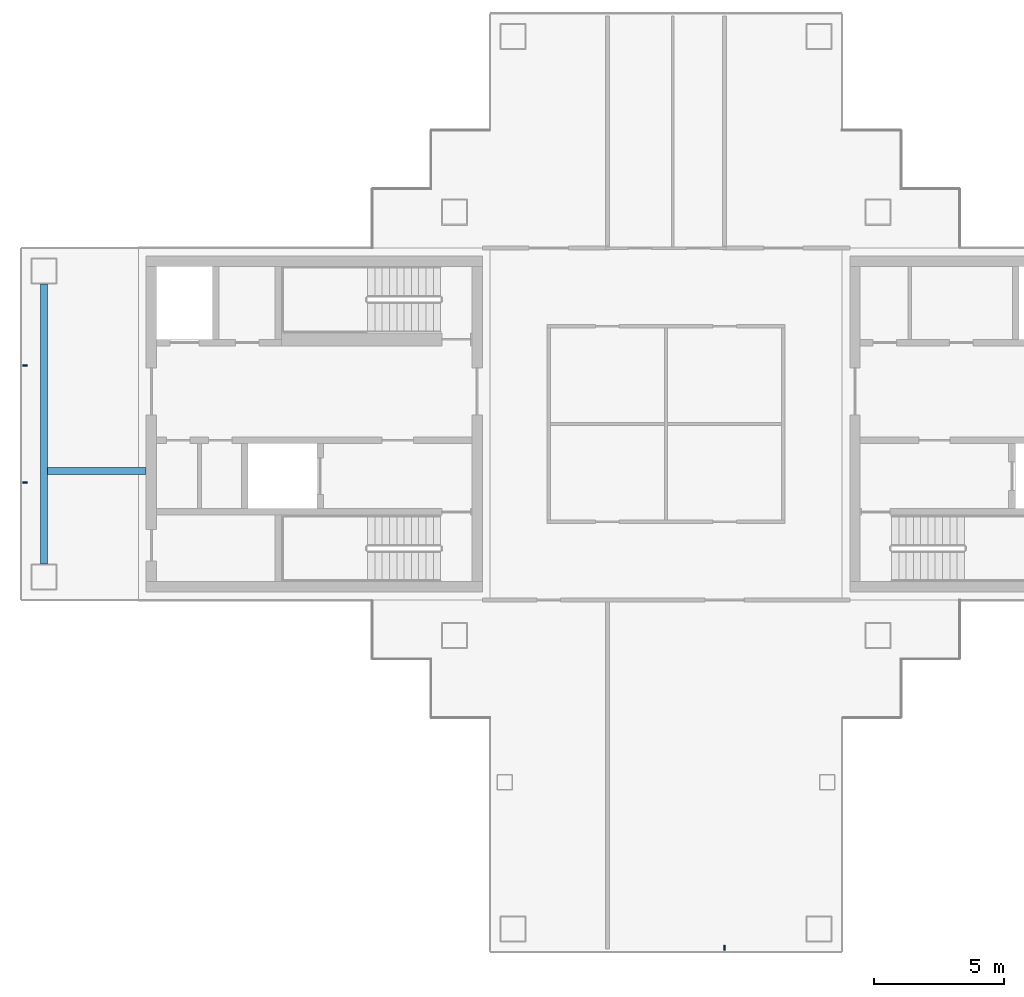
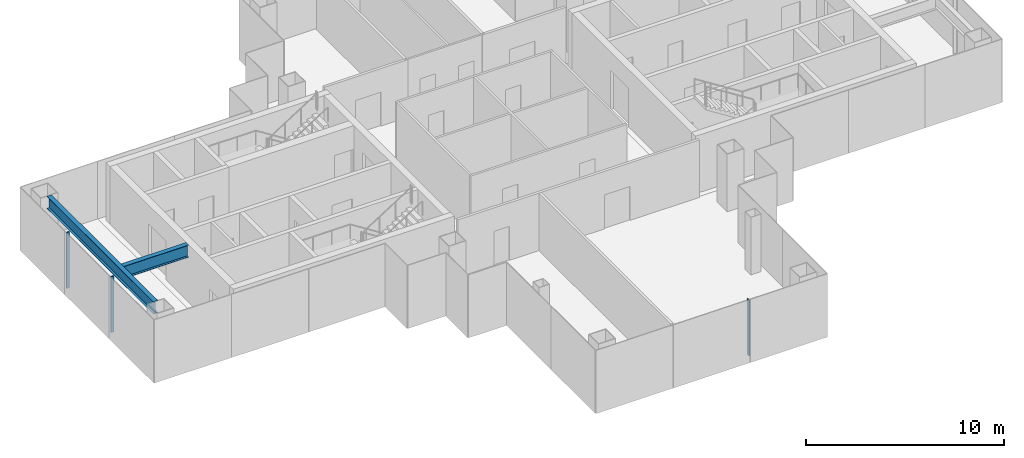
# One storey, part 3 of 16: 3 members, 2 beams, 2 elements without a shape of their own.
"""IFC4 building model written with IfcOpenShell, lengths in metres."""

from ifc_helpers import new_model, si_unit, direction, frame, origin, origin_2d, place, context, subcontext, project, spatial, rectangle, i_section, extrude, material, layer, layer_set, material_profile, profile_set, type_object, element, aggregate, save


model = new_model("IFC4")

# Units and contexts
model_context = context("Model", 3, precision=1e-05, world=origin(), true_north=direction((0.0, 1.0)))
body_context = subcontext(model_context, "Body", "Model", "MODEL_VIEW")
ifc_project = project(units=[si_unit("LENGTHUNIT", "METRE"), si_unit("AREAUNIT", "SQUARE_METRE"), si_unit("VOLUMEUNIT", "CUBIC_METRE"), si_unit("PLANEANGLEUNIT", "RADIAN"), si_unit("MASSUNIT", "GRAM", prefix="KILO")], contexts=[model_context])

# Site, building, storey
site_placement = place(None, origin())
site = spatial("IfcSite", under=ifc_project, at=site_placement, CompositionType="ELEMENT")
building_placement = place(site_placement, origin())
building = spatial("IfcBuilding", under=site, at=building_placement, Name="Shamsa Quay Exchange Towers", CompositionType="ELEMENT")
storey_placement = place(building_placement, frame((0.0, 0.0, 190.5)))
storey = spatial("IfcBuildingStorey", under=building, at=storey_placement, Name="L45", CompositionType="ELEMENT", Elevation=190.5)

# Curtain wall, member
ifc_material_1 = material(Name="Aluminium EN AW-6063 T6, black anodised", Category="aluminium")
ifc_layer = layer(ifc_material_1, 0.280029296875)
ifc_layer_set = layer_set([ifc_layer], Name="CW-1 UNITISED VISION GLASS")
curtain_wall_type = type_object("IfcCurtainWallType", Name="CW-1 UNITISED VISION GLASS", PredefinedType="NOTDEFINED", material=ifc_layer_set)
curtain_wall_1_placement = place(storey_placement, origin())
curtain_wall_1 = element("IfcCurtainWall", 1, at=curtain_wall_1_placement, inside=storey, type_object=curtain_wall_type, Name="CW1 T1-END-V- L45", PredefinedType="NOTDEFINED")
ifc_material_profile_1 = material_profile(ifc_material_1, rectangle(XDim=0.179931640625, YDim=0.06005859375, at=origin_2d()), Name="MU60x180")
ifc_profile_set_1 = profile_set([ifc_material_profile_1], Name="Aluminium EN AW-6063 T6, black anodised")
member_type = type_object("IfcMemberType", Name="CW1 MULLION 60x180", PredefinedType="MULLION", material=ifc_profile_set_1)
member_1_placement = place(storey_placement, frame((-31.5, -20.10009765625, 0.0), z_axis=(0.0, 0.0, 1.0), x_axis=(0.0, 1.0, 0.0)))
member_1 = element("IfcMember", 2, at=member_1_placement, type_object=member_type, Name="CW1 mullion", PredefinedType="MULLION", context=body_context, shape_type="SweptSolid", body=[
    extrude(rectangle(XDim=0.179931640625, YDim=0.06005859375, at=origin_2d()), origin(), (0.0, 0.0, 1.0), 3.449951171875),
])
aggregate(curtain_wall_1, [member_1])

# Curtain wall, members
curtain_wall_2_placement = place(storey_placement, origin())
curtain_wall_2 = element("IfcCurtainWall", 3, at=curtain_wall_2_placement, inside=storey, type_object=curtain_wall_type, Name="CW1 T1-END-U- L45", PredefinedType="NOTDEFINED")
member_2_placement = place(storey_placement, frame((-58.35009765625, 2.25, 0.0)))
member_2 = element("IfcMember", 4, at=member_2_placement, type_object=member_type, Name="CW1 mullion", PredefinedType="MULLION", context=body_context, shape_type="SweptSolid", body=[
    extrude(rectangle(XDim=0.179931640625, YDim=0.06005859375, at=origin_2d()), origin(), (0.0, 0.0, 1.0), 3.449951171875),
])
member_3_placement = place(storey_placement, frame((-58.35009765625, -2.25, 0.0)))
member_3 = element("IfcMember", 5, at=member_3_placement, type_object=member_type, Name="CW1 mullion", PredefinedType="MULLION", context=body_context, shape_type="SweptSolid", body=[
    extrude(rectangle(XDim=0.179931640625, YDim=0.06005859375, at=origin_2d()), origin(), (0.0, 0.0, 1.0), 3.449951171875),
])
aggregate(curtain_wall_2, [member_2, member_3])

# Beams
ifc_material_2 = material(Name="Steel S355", Category="steel")
ifc_material_profile_2 = material_profile(ifc_material_2, i_section(OverallWidth=0.26611328125, OverallDepth=0.7578125, WebThickness=0.013916015625, FlangeThickness=0.019287109375, at=origin_2d()), Name="W30x108")
ifc_profile_set_2 = profile_set([ifc_material_profile_2], Name="Steel S355")
beam_type = type_object("IfcBeamType", Name="End-zone beam W30x108", PredefinedType="BEAM", material=ifc_profile_set_2)
beam_1_placement = place(storey_placement, frame((-57.625, -5.375, 3.171142578125), z_axis=(0.0, 1.0, 0.0), x_axis=(-1.0, 0.0, 0.0)))
element("IfcBeam", 6, at=beam_1_placement, inside=storey, type_object=beam_type, Name="End beam T1 U- end zone L45", PredefinedType="BEAM", context=body_context, shape_type="SweptSolid", body=[
    extrude(i_section(OverallWidth=0.26611328125, OverallDepth=0.7578125, WebThickness=0.013916015625, FlangeThickness=0.019287109375, at=origin_2d()), origin(), (0.0, 0.0, 1.0), 10.75),
])
beam_2_placement = place(storey_placement, frame((-53.699951171875, -1.800048828125, 3.171142578125), z_axis=(-1.0, 0.0, 0.0), x_axis=(0.0, -1.0, 0.0)))
element("IfcBeam", 7, at=beam_2_placement, inside=storey, type_object=beam_type, Name="Spine beam T1 U- end zone L45", PredefinedType="BEAM", context=body_context, shape_type="SweptSolid", body=[
    extrude(i_section(OverallWidth=0.26611328125, OverallDepth=0.7578125, WebThickness=0.013916015625, FlangeThickness=0.019287109375, at=origin_2d()), origin(), (0.0, 0.0, 1.0), 3.7919921875),
])

save(model, "model.ifc")
